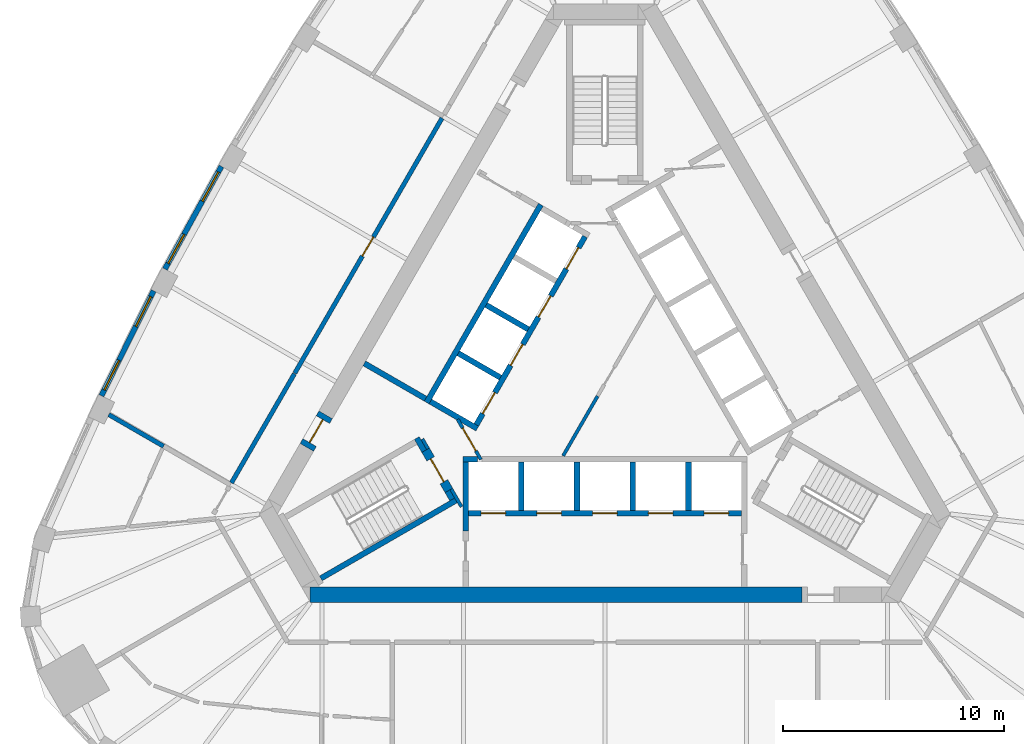
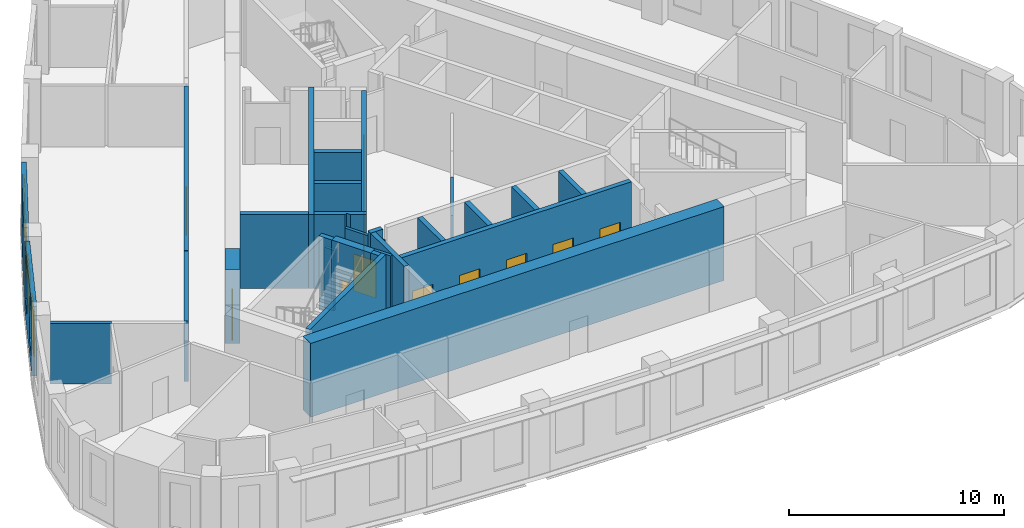
# One storey, part 4 of 10: 28 walls, 13 doors, 4 windows, 17 openings.
"""IFC4 building model written with IfcOpenShell, lengths in metres."""

from ifc_helpers import new_model, si_unit, direction, frame, frame_2d, origin, place, context, subcontext, project, spatial, polyline, rectangle, outline, extrude, material, layer, layer_set, type_object, element, fill, save


model = new_model("IFC4")

# Units and contexts
model_context = context("Model", 3, precision=1e-05, world=origin(), true_north=direction((0.0, 1.0)))
body_context = subcontext(model_context, "Body", "Model", "MODEL_VIEW")
ifc_project = project(units=[si_unit("LENGTHUNIT", "METRE"), si_unit("AREAUNIT", "SQUARE_METRE"), si_unit("VOLUMEUNIT", "CUBIC_METRE"), si_unit("PLANEANGLEUNIT", "RADIAN"), si_unit("MASSUNIT", "GRAM", prefix="KILO")], contexts=[model_context])

# Site, building, storey
site_placement = place(None, origin())
site = spatial("IfcSite", under=ifc_project, at=site_placement, CompositionType="ELEMENT")
building_placement = place(site_placement, origin())
building = spatial("IfcBuilding", under=site, at=building_placement, Name="Mestral Congress Tower", CompositionType="ELEMENT")
storey_placement = place(building_placement, frame((0.0, 0.0, 239.39990234375)))
storey = spatial("IfcBuildingStorey", under=building, at=storey_placement, Name="L56", CompositionType="ELEMENT", Elevation=239.39990234375)

# Walls
ifc_material_1 = material(Name="Fire-rated board partition")
ifc_layer_1 = layer(ifc_material_1, 0.14990234375)
ifc_layer_set_1 = layer_set([ifc_layer_1], Name="Fire-rated board partition")
wall_type_1 = type_object("IfcWallType", Name="Core partition 150", PredefinedType="PARTITIONING", material=ifc_layer_set_1)
wall_1_placement = place(storey_placement, frame((-8.251953125, -2.958251953125, 0.0), z_axis=(0.0, 0.0, 1.0), x_axis=(0.500174715838, -0.865924508047, 0.0)))
element("IfcWall", 1, at=wall_1_placement, inside=storey, type_object=wall_type_1, Name="L56 core wall", PredefinedType="PARTITIONING", context=body_context, shape_type="SweptSolid", body=[
    extrude(rectangle(XDim=0.513916015625, YDim=0.14990234375, at=frame_2d((0.2568359375, 0.0))), origin(), (0.0, 0.0, 1.0), 3.4501953125),
])
wall_2_placement = place(storey_placement, frame((-1.886962890625, -3.71826171875, 0.0), z_axis=(0.0, 0.0, 1.0), x_axis=(0.500043732237, 0.866000153493, 0.0)))
element("IfcWall", 2, at=wall_2_placement, inside=storey, type_object=wall_type_1, Name="L56 core wall", PredefinedType="PARTITIONING", context=body_context, shape_type="SweptSolid", body=[
    extrude(rectangle(XDim=3.113525390625, YDim=0.14990234375, at=frame_2d((1.556640625, 0.0))), origin(), (0.0, 0.0, 1.0), 3.4501953125),
])

# Wall, opening, door
wall_3_placement = place(storey_placement, frame((-5.606201171875, -3.8896484375, 0.0), z_axis=(0.0, 0.0, 1.0), x_axis=(-0.500027713859, 0.866009402589, 0.0)))
wall_3 = element("IfcWall", 3, at=wall_3_placement, inside=storey, type_object=wall_type_1, Name="L56 door wall", PredefinedType="PARTITIONING", context=body_context, shape_type="SweptSolid", body=[
    extrude(rectangle(XDim=2.10009765625, YDim=0.14990234375, at=frame_2d((1.050048828125, 0.0))), origin(), (0.0, 0.0, 1.0), 3.4501953125),
])
opening_1_placement = place(wall_3_placement, frame((0.449951171875, 0.0, 0.0)))
opening_1 = element("IfcOpeningElement", 4, at=opening_1_placement, cuts=wall_3, Name="Opening CD3-FF", PredefinedType="OPENING", context=body_context, shape_type="SweptSolid", body=[
    extrude(rectangle(XDim=1.199951171875, YDim=2.10009765625, at=frame_2d((0.60009765625, 1.050048828125))), frame((0.0, 0.0849609375, 0.0), z_axis=(0.0, -1.0, 0.0), x_axis=(1.0, 0.0, 0.0)), (0.0, 0.0, 1.0), 0.169921875),
])
ifc_material_2 = material(Name="Fire-rated steel door set", Category="steel")
door_type_1 = type_object("IfcDoorType", Name="Core door CD 1200x2100", OperationType="SINGLE_SWING_LEFT", PredefinedType="DOOR", material=ifc_material_2)
door_1_placement = place(opening_1_placement, origin())
door_1 = element("IfcDoor", 5, at=door_1_placement, inside=storey, type_object=door_type_1, Name="Door CD3-FF", OperationType="SINGLE_SWING_LEFT", OverallHeight=2.10009765625, OverallWidth=1.199951171875, PredefinedType="DOOR", context=body_context, shape_type="SweptSolid", body=[
    extrude(rectangle(XDim=1.199951171875, YDim=2.10009765625, at=frame_2d((0.60009765625, 1.050048828125))), frame((0.0, 0.02490234375, 0.0), z_axis=(0.0, -1.0, 0.0), x_axis=(1.0, 0.0, 0.0)), (0.0, 0.0, 1.0), 0.050048828125),
])
fill(opening_1, door_1)

# Wall
ifc_material_3 = material(Name="Concrete C60/75", Category="concrete")
ifc_layer_2 = layer(ifc_material_3, 0.699951171875)
ifc_layer_set_2 = layer_set([ifc_layer_2], Name="Concrete C60/75")
wall_type_2 = type_object("IfcWallType", Name="Core wall RC 700", PredefinedType="SOLIDWALL", material=ifc_layer_set_2)
wall_4_placement = place(storey_placement, frame((8.904296875, -10.0, 0.0), z_axis=(0.0, 0.0, 1.0), x_axis=(-1.0, 0.0, 0.0)))
element("IfcWall", 6, at=wall_4_placement, inside=storey, type_object=wall_type_2, Name="L56 core wall", PredefinedType="SOLIDWALL", context=body_context, shape_type="SweptSolid", body=[
    extrude(rectangle(XDim=22.226318359375, YDim=0.699951171875, at=frame_2d((11.11328125, 0.0))), origin(), (0.0, 0.0, 1.0), 4.2001953125),
])

# Wall, opening, door
wall_5_placement = place(storey_placement, frame((-13.474853515625, -3.339111328125, 0.0), z_axis=(0.0, 0.0, 1.0), x_axis=(0.499954529098, 0.86605165483, 0.0)))
wall_5 = element("IfcWall", 7, at=wall_5_placement, inside=storey, type_object=wall_type_2, Name="L56 door wall", PredefinedType="SOLIDWALL", context=body_context, shape_type="SweptSolid", body=[
    extrude(rectangle(XDim=1.699951171875, YDim=0.699951171875, at=frame_2d((0.85009765625, 0.0))), origin(), (0.0, 0.0, 1.0), 4.2001953125),
])
opening_2_placement = place(wall_5_placement, frame((0.25, 0.0, 0.0)))
opening_2 = element("IfcOpeningElement", 8, at=opening_2_placement, cuts=wall_5, Name="Opening XD3", PredefinedType="OPENING", context=body_context, shape_type="SweptSolid", body=[
    extrude(rectangle(XDim=1.199951171875, YDim=2.10009765625, at=frame_2d((0.60009765625, 1.050048828125))), frame((0.0, 0.35986328125, 0.0), z_axis=(0.0, -1.0, 0.0), x_axis=(1.0, 0.0, 0.0)), (0.0, 0.0, 1.0), 0.719970703125),
])
door_type_2 = type_object("IfcDoorType", Name="Core door XD 1200x2100", OperationType="SINGLE_SWING_LEFT", PredefinedType="DOOR", material=ifc_material_2)
door_2_placement = place(opening_2_placement, origin())
door_2 = element("IfcDoor", 9, at=door_2_placement, inside=storey, type_object=door_type_2, Name="Door XD3", OperationType="SINGLE_SWING_LEFT", OverallHeight=2.10009765625, OverallWidth=1.199951171875, PredefinedType="DOOR", context=body_context, shape_type="SweptSolid", body=[
    extrude(rectangle(XDim=1.199951171875, YDim=2.10009765625, at=frame_2d((0.60009765625, 1.050048828125))), frame((0.0, 0.02490234375, 0.0), z_axis=(0.0, -1.0, 0.0), x_axis=(1.0, 0.0, 0.0)), (0.0, 0.0, 1.0), 0.050048828125),
])
fill(opening_2, door_2)

# Wall, openings, windows
ifc_material_4 = material(Name="Precast concrete C40/50 with limestone facing", Category="masonry")
ifc_layer_3 = layer(ifc_material_4, 0.239990234375)
ifc_layer_set_3 = layer_set([ifc_layer_3], Name="Precast concrete C40/50 with limestone facing")
wall_type_3 = type_object("IfcWallType", Name="Facade stone wall 240", PredefinedType="SOLIDWALL", material=ifc_layer_set_3)
wall_6_placement = place(storey_placement, frame((-17.338134765625, 9.367919921875, 0.0), z_axis=(0.0, 0.0, 1.0), x_axis=(-0.481925825015, -0.876212017256, 0.0)))
wall_6 = element("IfcWall", 10, at=wall_6_placement, inside=storey, type_object=wall_type_3, Name="Facade wall F2-03", PredefinedType="SOLIDWALL", context=body_context, shape_type="SweptSolid", body=[
    extrude(rectangle(XDim=5.298583984375, YDim=0.239990234375, at=frame_2d((2.6494140625, 0.0))), origin(), (0.0, 0.0, 1.0), 3.9501953125),
])
opening_3_placement = place(wall_6_placement, frame((0.294677734375, 0.0, 0.89990234375)))
opening_3 = element("IfcOpeningElement", 11, at=opening_3_placement, cuts=wall_6, Name="Opening W4", PredefinedType="OPENING", context=body_context, shape_type="SweptSolid", body=[
    extrude(rectangle(XDim=1.5, YDim=2.550048828125, at=frame_2d((0.75, 1.27490234375))), frame((0.0, 0.1298828125, 0.0), z_axis=(0.0, -1.0, 0.0), x_axis=(1.0, 0.0, 0.0)), (0.0, 0.0, 1.0), 0.260009765625),
])
opening_4_placement = place(wall_6_placement, frame((3.503662109375, 0.0, 0.89990234375)))
opening_4 = element("IfcOpeningElement", 12, at=opening_4_placement, cuts=wall_6, Name="Opening W4", PredefinedType="OPENING", context=body_context, shape_type="SweptSolid", body=[
    extrude(rectangle(XDim=1.5, YDim=2.550048828125, at=frame_2d((0.75, 1.27490234375))), frame((0.0, 0.1298828125, 0.0), z_axis=(0.0, -1.0, 0.0), x_axis=(1.0, 0.0, 0.0)), (0.0, 0.0, 1.0), 0.260009765625),
])
ifc_material_5 = material(Name="Clear low-emissivity double glazing", Category="glass")
window_type = type_object("IfcWindowType", Name="Facade punched window 1500 x 2550 sill 900", PartitioningType="SINGLE_PANEL", PredefinedType="WINDOW", material=ifc_material_5)
window_1_placement = place(opening_3_placement, origin())
window_1 = element("IfcWindow", 13, at=window_1_placement, inside=storey, type_object=window_type, Name="Window F2-03a", OverallHeight=2.550048828125, OverallWidth=1.5, PartitioningType="SINGLE_PANEL", PredefinedType="WINDOW", context=body_context, shape_type="SweptSolid", body=[
    extrude(rectangle(XDim=1.5, YDim=2.550048828125, at=frame_2d((0.75, 1.27490234375))), frame((0.0, 0.0400390625, 0.0), z_axis=(0.0, -1.0, 0.0), x_axis=(1.0, 0.0, 0.0)), (0.0, 0.0, 1.0), 0.06005859375),
])
fill(opening_3, window_1)
window_2_placement = place(opening_4_placement, origin())
window_2 = element("IfcWindow", 14, at=window_2_placement, inside=storey, type_object=window_type, Name="Window F2-03b", OverallHeight=2.550048828125, OverallWidth=1.5, PartitioningType="SINGLE_PANEL", PredefinedType="WINDOW", context=body_context, shape_type="SweptSolid", body=[
    extrude(rectangle(XDim=1.5, YDim=2.550048828125, at=frame_2d((0.75, 1.27490234375))), frame((0.0, 0.0400390625, 0.0), z_axis=(0.0, -1.0, 0.0), x_axis=(1.0, 0.0, 0.0)), (0.0, 0.0, 1.0), 0.06005859375),
])
fill(opening_4, window_2)

wall_7_placement = place(storey_placement, frame((-20.407470703125, 3.739501953125, 0.0), z_axis=(0.0, 0.0, 1.0), x_axis=(-0.445129582031, -0.895466166419, 0.0)))
wall_7 = element("IfcWall", 15, at=wall_7_placement, inside=storey, type_object=wall_type_3, Name="Facade wall F2-04", PredefinedType="SOLIDWALL", context=body_context, shape_type="SweptSolid", body=[
    extrude(rectangle(XDim=5.29833984375, YDim=0.239990234375, at=frame_2d((2.649169921875, 0.0))), origin(), (0.0, 0.0, 1.0), 3.9501953125),
])
opening_5_placement = place(wall_7_placement, frame((0.294677734375, 0.0, 0.89990234375)))
opening_5 = element("IfcOpeningElement", 16, at=opening_5_placement, cuts=wall_7, Name="Opening W4", PredefinedType="OPENING", context=body_context, shape_type="SweptSolid", body=[
    extrude(rectangle(XDim=1.5, YDim=2.550048828125, at=frame_2d((0.75, 1.27490234375))), frame((0.0, 0.1298828125, 0.0), z_axis=(0.0, -1.0, 0.0), x_axis=(1.0, 0.0, 0.0)), (0.0, 0.0, 1.0), 0.260009765625),
])
opening_6_placement = place(wall_7_placement, frame((3.503662109375, 0.0, 0.89990234375)))
opening_6 = element("IfcOpeningElement", 17, at=opening_6_placement, cuts=wall_7, Name="Opening W4", PredefinedType="OPENING", context=body_context, shape_type="SweptSolid", body=[
    extrude(rectangle(XDim=1.5, YDim=2.550048828125, at=frame_2d((0.75, 1.27490234375))), frame((0.0, 0.1298828125, 0.0), z_axis=(0.0, -1.0, 0.0), x_axis=(1.0, 0.0, 0.0)), (0.0, 0.0, 1.0), 0.260009765625),
])
window_3_placement = place(opening_5_placement, origin())
window_3 = element("IfcWindow", 18, at=window_3_placement, inside=storey, type_object=window_type, Name="Window F2-04a", OverallHeight=2.550048828125, OverallWidth=1.5, PartitioningType="SINGLE_PANEL", PredefinedType="WINDOW", context=body_context, shape_type="SweptSolid", body=[
    extrude(rectangle(XDim=1.5, YDim=2.550048828125, at=frame_2d((0.75, 1.27490234375))), frame((0.0, 0.0400390625, 0.0), z_axis=(0.0, -1.0, 0.0), x_axis=(1.0, 0.0, 0.0)), (0.0, 0.0, 1.0), 0.06005859375),
])
fill(opening_5, window_3)
window_4_placement = place(opening_6_placement, origin())
window_4 = element("IfcWindow", 19, at=window_4_placement, inside=storey, type_object=window_type, Name="Window F2-04b", OverallHeight=2.550048828125, OverallWidth=1.5, PartitioningType="SINGLE_PANEL", PredefinedType="WINDOW", context=body_context, shape_type="SweptSolid", body=[
    extrude(rectangle(XDim=1.5, YDim=2.550048828125, at=frame_2d((0.75, 1.27490234375))), frame((0.0, 0.0400390625, 0.0), z_axis=(0.0, -1.0, 0.0), x_axis=(1.0, 0.0, 0.0)), (0.0, 0.0, 1.0), 0.06005859375),
])
fill(opening_6, window_4)

# Wall
ifc_material_6 = material(Name="Dense masonry wall, plastered", Category="masonry")
ifc_layer_4 = layer(ifc_material_6, 0.199951171875)
ifc_layer_set_4 = layer_set([ifc_layer_4], Name="Dense masonry wall, plastered")
wall_type_4 = type_object("IfcWallType", Name="Office tenancy wall 200", PredefinedType="PARTITIONING", material=ifc_layer_set_4)
wall_8_placement = place(storey_placement, frame((-19.950927734375, -3.28759765625, 0.0), z_axis=(0.0, 0.0, 1.0), x_axis=(-0.866044908516, 0.499966215292, 0.0)))
element("IfcWall", 20, at=wall_8_placement, inside=storey, type_object=wall_type_4, Name="Tenancy wall", PredefinedType="PARTITIONING", context=body_context, shape_type="SweptSolid", body=[
    extrude(rectangle(XDim=2.861083984375, YDim=0.199951171875, at=frame_2d((1.4306640625, 0.0))), origin(), (0.0, 0.0, 1.0), 3.4501953125),
])

# Wall, opening, door
wall_9_placement = place(storey_placement, frame((-7.36376953125, 11.54541015625, 0.0), z_axis=(0.0, 0.0, 1.0), x_axis=(-0.500001759768, -0.86602438778, 0.0)))
wall_9 = element("IfcWall", 21, at=wall_9_placement, inside=storey, type_object=wall_type_4, Name="Tenancy wall", PredefinedType="PARTITIONING", context=body_context, shape_type="SweptSolid", body=[
    extrude(rectangle(XDim=13.31689453125, YDim=0.199951171875, at=frame_2d((6.658447265625, 0.0))), origin(), (0.0, 0.0, 1.0), 3.4501953125),
])
opening_7_placement = place(wall_9_placement, frame((6.199951171875, 0.0, 0.0)))
opening_7 = element("IfcOpeningElement", 22, at=opening_7_placement, cuts=wall_9, Name="Opening O09-015", PredefinedType="OPENING", context=body_context, shape_type="SweptSolid", body=[
    extrude(rectangle(XDim=1.0, YDim=2.10009765625, at=frame_2d((0.5, 1.050048828125))), frame((0.0, 0.10986328125, 0.0), z_axis=(0.0, -1.0, 0.0), x_axis=(1.0, 0.0, 0.0)), (0.0, 0.0, 1.0), 0.219970703125),
])
ifc_material_7 = material(Name="Fire-rated timber door set", Category="wood")
door_type_3 = type_object("IfcDoorType", Name="Office tenancy entrance door 1000x2100", OperationType="SINGLE_SWING_LEFT", PredefinedType="DOOR", material=ifc_material_7)
door_3_placement = place(opening_7_placement, origin())
door_3 = element("IfcDoor", 23, at=door_3_placement, inside=storey, type_object=door_type_3, Name="Door O09-015", OperationType="SINGLE_SWING_RIGHT", OverallHeight=2.10009765625, OverallWidth=1.0, PredefinedType="DOOR", context=body_context, shape_type="SweptSolid", body=[
    extrude(rectangle(XDim=1.0, YDim=2.10009765625, at=frame_2d((0.5, 1.050048828125))), frame((0.0, 0.02490234375, 0.0), z_axis=(0.0, -1.0, 0.0), x_axis=(1.0, 0.0, 0.0)), (0.0, 0.0, 1.0), 0.050048828125),
])
fill(opening_7, door_3)

# Walls
wall_10_placement = place(storey_placement, frame((-14.037109375, -0.01318359375, 0.0), z_axis=(0.0, 0.0, 1.0), x_axis=(-0.500018205831, -0.866014892388, 0.0)))
element("IfcWall", 24, at=wall_10_placement, inside=storey, type_object=wall_type_4, Name="Tenancy wall", PredefinedType="PARTITIONING", context=body_context, shape_type="SweptSolid", body=[
    extrude(rectangle(XDim=5.692626953125, YDim=0.199951171875, at=frame_2d((2.84619140625, 0.0))), origin(), (0.0, 0.0, 1.0), 3.4501953125),
])
ifc_layer_5 = layer(ifc_material_3, 0.25)
ifc_layer_set_5 = layer_set([ifc_layer_5], Name="Concrete C60/75")
wall_type_5 = type_object("IfcWallType", Name="Shaft wall RC 250", PredefinedType="SOLIDWALL", material=ifc_layer_set_5)
wall_11_placement = place(storey_placement, frame((-6.425048828125, -3.875, 0.0), z_axis=(0.0, 0.0, 1.0), x_axis=(1.0, 0.0, 0.0)))
element("IfcWall", 25, at=wall_11_placement, inside=storey, type_object=wall_type_5, Name="L56 core wall", PredefinedType="SOLIDWALL", context=body_context, shape_type="SweptSolid", body=[
    extrude(rectangle(XDim=0.657958984375, YDim=0.25, at=frame_2d((0.3291015625, 0.0))), origin(), (0.0, 0.0, 1.0), 4.2001953125),
])
for number, where, z_axis, x_axis, name in (
    (26, (3.780029296875, -4.0, 0.0), (0.0, 0.0, 1.0), (0.0, -1.0, 0.0), "L56 core wall"),
    (27, (1.260009765625, -4.0, 0.0), (0.0, 0.0, 1.0), (0.0, -1.0, 0.0), "L56 core wall"),
    (28, (-1.260009765625, -4.0, 0.0), (0.0, 0.0, 1.0), (0.0, -1.0, 0.0), "L56 core wall"),
    (29, (-3.780029296875, -4.0, 0.0), (0.0, 0.0, 1.0), (0.0, -1.0, 0.0), "L56 core wall"),
):
    element("IfcWall", number, at=place(storey_placement, frame(where, z_axis=z_axis, x_axis=x_axis)), inside=storey, type_object=wall_type_5, Name=name, PredefinedType="SOLIDWALL", context=body_context, shape_type="SweptSolid", body=[
        extrude(rectangle(XDim=2.199951171875, YDim=0.25, at=frame_2d((1.10009765625, 0.0))), origin(), (0.0, 0.0, 1.0), 4.2001953125),
    ])
wall_12_placement = place(storey_placement, frame((-6.300048828125, -7.12451171875, 0.0), z_axis=(0.0, 0.0, 1.0), x_axis=(0.0, 1.0, 0.0)))
element("IfcWall", 30, at=wall_12_placement, inside=storey, type_object=wall_type_5, Name="L56 core wall", PredefinedType="SOLIDWALL", context=body_context, shape_type="SweptSolid", body=[
    extrude(rectangle(XDim=3.12451171875, YDim=0.25, at=frame_2d((1.562255859375, 0.0))), origin(), (0.0, 0.0, 1.0), 4.2001953125),
])
wall_13_placement = place(storey_placement, frame((-8.06005859375, -1.310546875, 0.0), z_axis=(0.0, 0.0, 1.0), x_axis=(0.50000273126, 0.866023826885, 0.0)))
element("IfcWall", 31, at=wall_13_placement, inside=storey, type_object=wall_type_5, Name="L56 core wall", PredefinedType="SOLIDWALL", context=body_context, shape_type="SweptSolid", body=[
    extrude(rectangle(XDim=10.330078125, YDim=0.25, at=frame_2d((5.1650390625, 0.0))), origin(), (0.0, 0.0, 1.0), 4.2001953125),
])
for number, where, z_axis, x_axis, name in (
    (32, (-5.369384765625, 3.10009765625, 0.0), (0.0, 0.0, 1.0), (0.866008176907, -0.50002983664, 0.0), "L56 core wall"),
    (33, (-4.72412109375, -0.182373046875, 0.0), (0.0, 0.0, 1.0), (-0.866008176907, 0.50002983664, 0.0), "L56 core wall"),
):
    element("IfcWall", number, at=place(storey_placement, frame(where, z_axis=z_axis, x_axis=x_axis)), inside=storey, type_object=wall_type_5, Name=name, PredefinedType="SOLIDWALL", context=body_context, shape_type="SweptSolid", body=[
        extrude(rectangle(XDim=2.199951171875, YDim=0.25, at=frame_2d((1.10009765625, 0.0))), origin(), (0.0, 0.0, 1.0), 4.2001953125),
    ])
wall_14_placement = place(storey_placement, origin())
element("IfcWall", 34, at=wall_14_placement, inside=storey, type_object=wall_type_5, Name="L56 core wall", PredefinedType="SOLIDWALL", context=body_context, shape_type="SweptSolid", body=[
    extrude(outline(polyline([(-5.921630859375, -2.256591796875), (-5.921630859375, -2.256591796875), (-5.705078125, -2.381591796875), (-5.830078125, -2.597900390625), (-6.48291015625, -2.22119140625), (-6.59130859375, -2.033447265625), (-6.59130859375, -2.033447265625), (-6.69970703125, -2.095947265625), (-7.951904296875, -1.373046875), (-7.826904296875, -1.156494140625), (-5.921630859375, -2.256591796875)])), origin(), (0.0, 0.0, 1.0), 4.2001953125),
])
wall_15_placement = place(storey_placement, frame((-8.10595703125, -1.139892578125, 0.0), z_axis=(0.0, 0.0, 1.0), x_axis=(-0.866008981251, 0.500028443584, 0.0)))
element("IfcWall", 35, at=wall_15_placement, inside=storey, type_object=wall_type_5, Name="L56 core wall", PredefinedType="SOLIDWALL", context=body_context, shape_type="SweptSolid", body=[
    extrude(rectangle(XDim=3.199951171875, YDim=0.25, at=frame_2d((1.60009765625, 0.0))), origin(), (0.0, 0.0, 1.0), 4.2001953125),
])

# Wall, openings, doors
wall_16_placement = place(storey_placement, frame((-6.175048828125, -6.324951171875, 0.0), z_axis=(0.0, 0.0, 1.0), x_axis=(1.0, 0.0, 0.0)))
wall_16 = element("IfcWall", 36, at=wall_16_placement, inside=storey, type_object=wall_type_5, Name="L56 door wall", PredefinedType="SOLIDWALL", context=body_context, shape_type="SweptSolid", body=[
    extrude(rectangle(XDim=12.35009765625, YDim=0.25, at=frame_2d((6.175048828125, 0.0))), origin(), (0.0, 0.0, 1.0), 4.2001953125),
])
opening_8_placement = place(wall_16_placement, frame((0.5849609375, 0.0, 0.0)))
opening_8 = element("IfcOpeningElement", 37, at=opening_8_placement, cuts=wall_16, Name="Opening LD-SOB1", PredefinedType="OPENING", context=body_context, shape_type="SweptSolid", body=[
    extrude(rectangle(XDim=1.10009765625, YDim=2.10009765625, at=frame_2d((0.550048828125, 1.050048828125))), frame((0.0, 0.135009765625, 0.0), z_axis=(0.0, -1.0, 0.0), x_axis=(1.0, 0.0, 0.0)), (0.0, 0.0, 1.0), 0.27001953125),
])
opening_9_placement = place(wall_16_placement, frame((3.10498046875, 0.0, 0.0)))
opening_9 = element("IfcOpeningElement", 38, at=opening_9_placement, cuts=wall_16, Name="Opening LD-SOB2", PredefinedType="OPENING", context=body_context, shape_type="SweptSolid", body=[
    extrude(rectangle(XDim=1.10009765625, YDim=2.10009765625, at=frame_2d((0.550048828125, 1.050048828125))), frame((0.0, 0.135009765625, 0.0), z_axis=(0.0, -1.0, 0.0), x_axis=(1.0, 0.0, 0.0)), (0.0, 0.0, 1.0), 0.27001953125),
])
opening_10_placement = place(wall_16_placement, frame((5.625, 0.0, 0.0)))
opening_10 = element("IfcOpeningElement", 39, at=opening_10_placement, cuts=wall_16, Name="Opening LD-SOB3", PredefinedType="OPENING", context=body_context, shape_type="SweptSolid", body=[
    extrude(rectangle(XDim=1.10009765625, YDim=2.10009765625, at=frame_2d((0.550048828125, 1.050048828125))), frame((0.0, 0.135009765625, 0.0), z_axis=(0.0, -1.0, 0.0), x_axis=(1.0, 0.0, 0.0)), (0.0, 0.0, 1.0), 0.27001953125),
])
opening_11_placement = place(wall_16_placement, frame((8.14501953125, 0.0, 0.0)))
opening_11 = element("IfcOpeningElement", 40, at=opening_11_placement, cuts=wall_16, Name="Opening LD-SOB4", PredefinedType="OPENING", context=body_context, shape_type="SweptSolid", body=[
    extrude(rectangle(XDim=1.10009765625, YDim=2.10009765625, at=frame_2d((0.550048828125, 1.050048828125))), frame((0.0, 0.135009765625, 0.0), z_axis=(0.0, -1.0, 0.0), x_axis=(1.0, 0.0, 0.0)), (0.0, 0.0, 1.0), 0.27001953125),
])
opening_12_placement = place(wall_16_placement, frame((10.6650390625, 0.0, 0.0)))
opening_12 = element("IfcOpeningElement", 41, at=opening_12_placement, cuts=wall_16, Name="Opening LD-SOB5", PredefinedType="OPENING", context=body_context, shape_type="SweptSolid", body=[
    extrude(rectangle(XDim=1.10009765625, YDim=2.10009765625, at=frame_2d((0.550048828125, 1.050048828125))), frame((0.0, 0.135009765625, 0.0), z_axis=(0.0, -1.0, 0.0), x_axis=(1.0, 0.0, 0.0)), (0.0, 0.0, 1.0), 0.27001953125),
])
door_type_4 = type_object("IfcDoorType", Name="Core door LD 1100x2100", OperationType="DOUBLE_DOOR_SLIDING", PredefinedType="DOOR", material=ifc_material_2)
door_4_placement = place(opening_8_placement, origin())
door_4 = element("IfcDoor", 42, at=door_4_placement, inside=storey, type_object=door_type_4, Name="Door LD-SOB1", OperationType="DOUBLE_DOOR_SLIDING", OverallHeight=2.10009765625, OverallWidth=1.10009765625, PredefinedType="DOOR", context=body_context, shape_type="SweptSolid", body=[
    extrude(rectangle(XDim=1.10009765625, YDim=2.10009765625, at=frame_2d((0.550048828125, 1.050048828125))), frame((0.0, 0.02490234375, 0.0), z_axis=(0.0, -1.0, 0.0), x_axis=(1.0, 0.0, 0.0)), (0.0, 0.0, 1.0), 0.050048828125),
])
fill(opening_8, door_4)
door_5_placement = place(opening_9_placement, origin())
door_5 = element("IfcDoor", 43, at=door_5_placement, inside=storey, type_object=door_type_4, Name="Door LD-SOB2", OperationType="DOUBLE_DOOR_SLIDING", OverallHeight=2.10009765625, OverallWidth=1.10009765625, PredefinedType="DOOR", context=body_context, shape_type="SweptSolid", body=[
    extrude(rectangle(XDim=1.10009765625, YDim=2.10009765625, at=frame_2d((0.550048828125, 1.050048828125))), frame((0.0, 0.02490234375, 0.0), z_axis=(0.0, -1.0, 0.0), x_axis=(1.0, 0.0, 0.0)), (0.0, 0.0, 1.0), 0.050048828125),
])
fill(opening_9, door_5)
door_6_placement = place(opening_10_placement, origin())
door_6 = element("IfcDoor", 44, at=door_6_placement, inside=storey, type_object=door_type_4, Name="Door LD-SOB3", OperationType="DOUBLE_DOOR_SLIDING", OverallHeight=2.10009765625, OverallWidth=1.10009765625, PredefinedType="DOOR", context=body_context, shape_type="SweptSolid", body=[
    extrude(rectangle(XDim=1.10009765625, YDim=2.10009765625, at=frame_2d((0.550048828125, 1.050048828125))), frame((0.0, 0.02490234375, 0.0), z_axis=(0.0, -1.0, 0.0), x_axis=(1.0, 0.0, 0.0)), (0.0, 0.0, 1.0), 0.050048828125),
])
fill(opening_10, door_6)
door_7_placement = place(opening_11_placement, origin())
door_7 = element("IfcDoor", 45, at=door_7_placement, inside=storey, type_object=door_type_4, Name="Door LD-SOB4", OperationType="DOUBLE_DOOR_SLIDING", OverallHeight=2.10009765625, OverallWidth=1.10009765625, PredefinedType="DOOR", context=body_context, shape_type="SweptSolid", body=[
    extrude(rectangle(XDim=1.10009765625, YDim=2.10009765625, at=frame_2d((0.550048828125, 1.050048828125))), frame((0.0, 0.02490234375, 0.0), z_axis=(0.0, -1.0, 0.0), x_axis=(1.0, 0.0, 0.0)), (0.0, 0.0, 1.0), 0.050048828125),
])
fill(opening_11, door_7)
door_8_placement = place(opening_12_placement, origin())
door_8 = element("IfcDoor", 46, at=door_8_placement, inside=storey, type_object=door_type_4, Name="Door LD-SOB5", OperationType="DOUBLE_DOOR_SLIDING", OverallHeight=2.10009765625, OverallWidth=1.10009765625, PredefinedType="DOOR", context=body_context, shape_type="SweptSolid", body=[
    extrude(rectangle(XDim=1.10009765625, YDim=2.10009765625, at=frame_2d((0.550048828125, 1.050048828125))), frame((0.0, 0.02490234375, 0.0), z_axis=(0.0, -1.0, 0.0), x_axis=(1.0, 0.0, 0.0)), (0.0, 0.0, 1.0), 0.050048828125),
])
fill(opening_12, door_8)

wall_17_placement = place(storey_placement, frame((-0.898193359375, 6.194091796875, 0.0), z_axis=(0.0, 0.0, 1.0), x_axis=(-0.499996202215, -0.866027596426, 0.0)))
wall_17 = element("IfcWall", 47, at=wall_17_placement, inside=storey, type_object=wall_type_5, Name="L56 door wall", PredefinedType="SOLIDWALL", context=body_context, shape_type="SweptSolid", body=[
    extrude(rectangle(XDim=9.830078125, YDim=0.25, at=frame_2d((4.9150390625, 0.0))), origin(), (0.0, 0.0, 1.0), 4.2001953125),
])
opening_13_placement = place(wall_17_placement, frame((0.5849609375, 0.0, 0.0)))
opening_13 = element("IfcOpeningElement", 48, at=opening_13_placement, cuts=wall_17, Name="Opening LD-NWB1", PredefinedType="OPENING", context=body_context, shape_type="SweptSolid", body=[
    extrude(rectangle(XDim=1.10009765625, YDim=2.10009765625, at=frame_2d((0.550048828125, 1.050048828125))), frame((0.0, 0.135009765625, 0.0), z_axis=(0.0, -1.0, 0.0), x_axis=(1.0, 0.0, 0.0)), (0.0, 0.0, 1.0), 0.27001953125),
])
opening_14_placement = place(wall_17_placement, frame((3.10498046875, 0.0, 0.0)))
opening_14 = element("IfcOpeningElement", 49, at=opening_14_placement, cuts=wall_17, Name="Opening LD-NWB2", PredefinedType="OPENING", context=body_context, shape_type="SweptSolid", body=[
    extrude(rectangle(XDim=1.10009765625, YDim=2.10009765625, at=frame_2d((0.550048828125, 1.050048828125))), frame((0.0, 0.135009765625, 0.0), z_axis=(0.0, -1.0, 0.0), x_axis=(1.0, 0.0, 0.0)), (0.0, 0.0, 1.0), 0.27001953125),
])
opening_15_placement = place(wall_17_placement, frame((5.625, 0.0, 0.0)))
opening_15 = element("IfcOpeningElement", 50, at=opening_15_placement, cuts=wall_17, Name="Opening LD-NWB3", PredefinedType="OPENING", context=body_context, shape_type="SweptSolid", body=[
    extrude(rectangle(XDim=1.10009765625, YDim=2.10009765625, at=frame_2d((0.550048828125, 1.050048828125))), frame((0.0, 0.135009765625, 0.0), z_axis=(0.0, -1.0, 0.0), x_axis=(1.0, 0.0, 0.0)), (0.0, 0.0, 1.0), 0.27001953125),
])
opening_16_placement = place(wall_17_placement, frame((8.14501953125, 0.0, 0.0)))
opening_16 = element("IfcOpeningElement", 51, at=opening_16_placement, cuts=wall_17, Name="Opening LD-NWB4", PredefinedType="OPENING", context=body_context, shape_type="SweptSolid", body=[
    extrude(rectangle(XDim=1.10009765625, YDim=2.10009765625, at=frame_2d((0.550048828125, 1.050048828125))), frame((0.0, 0.135009765625, 0.0), z_axis=(0.0, -1.0, 0.0), x_axis=(1.0, 0.0, 0.0)), (0.0, 0.0, 1.0), 0.27001953125),
])
door_9_placement = place(opening_13_placement, origin())
door_9 = element("IfcDoor", 52, at=door_9_placement, inside=storey, type_object=door_type_4, Name="Door LD-NWB1", OperationType="DOUBLE_DOOR_SLIDING", OverallHeight=2.10009765625, OverallWidth=1.10009765625, PredefinedType="DOOR", context=body_context, shape_type="SweptSolid", body=[
    extrude(rectangle(XDim=1.10009765625, YDim=2.10009765625, at=frame_2d((0.550048828125, 1.050048828125))), frame((0.0, 0.02490234375, 0.0), z_axis=(0.0, -1.0, 0.0), x_axis=(1.0, 0.0, 0.0)), (0.0, 0.0, 1.0), 0.050048828125),
])
fill(opening_13, door_9)
door_10_placement = place(opening_14_placement, origin())
door_10 = element("IfcDoor", 53, at=door_10_placement, inside=storey, type_object=door_type_4, Name="Door LD-NWB2", OperationType="DOUBLE_DOOR_SLIDING", OverallHeight=2.10009765625, OverallWidth=1.10009765625, PredefinedType="DOOR", context=body_context, shape_type="SweptSolid", body=[
    extrude(rectangle(XDim=1.10009765625, YDim=2.10009765625, at=frame_2d((0.550048828125, 1.050048828125))), frame((0.0, 0.02490234375, 0.0), z_axis=(0.0, -1.0, 0.0), x_axis=(1.0, 0.0, 0.0)), (0.0, 0.0, 1.0), 0.050048828125),
])
fill(opening_14, door_10)
door_11_placement = place(opening_15_placement, origin())
door_11 = element("IfcDoor", 54, at=door_11_placement, inside=storey, type_object=door_type_4, Name="Door LD-NWB3", OperationType="DOUBLE_DOOR_SLIDING", OverallHeight=2.10009765625, OverallWidth=1.10009765625, PredefinedType="DOOR", context=body_context, shape_type="SweptSolid", body=[
    extrude(rectangle(XDim=1.10009765625, YDim=2.10009765625, at=frame_2d((0.550048828125, 1.050048828125))), frame((0.0, 0.02490234375, 0.0), z_axis=(0.0, -1.0, 0.0), x_axis=(1.0, 0.0, 0.0)), (0.0, 0.0, 1.0), 0.050048828125),
])
fill(opening_15, door_11)
door_12_placement = place(opening_16_placement, origin())
door_12 = element("IfcDoor", 55, at=door_12_placement, inside=storey, type_object=door_type_4, Name="Door LD-NWB4", OperationType="DOUBLE_DOOR_SLIDING", OverallHeight=2.10009765625, OverallWidth=1.10009765625, PredefinedType="DOOR", context=body_context, shape_type="SweptSolid", body=[
    extrude(rectangle(XDim=1.10009765625, YDim=2.10009765625, at=frame_2d((0.550048828125, 1.050048828125))), frame((0.0, 0.02490234375, 0.0), z_axis=(0.0, -1.0, 0.0), x_axis=(1.0, 0.0, 0.0)), (0.0, 0.0, 1.0), 0.050048828125),
])
fill(opening_16, door_12)

# Walls
ifc_layer_6 = layer(ifc_material_3, 0.14990234375)
ifc_layer_set_6 = layer_set([ifc_layer_6], Name="Concrete C60/75")
wall_type_6 = type_object("IfcWallType", Name="Shaft wall RC 250 door-wall 150", PredefinedType="SOLIDWALL", material=ifc_layer_set_6)
wall_18_placement = place(storey_placement, frame((-6.48046875, -6.026611328125, 0.0), z_axis=(0.0, 0.0, 1.0), x_axis=(-0.499927229454, 0.866067413802, 0.0)))
element("IfcWall", 56, at=wall_18_placement, inside=storey, type_object=wall_type_6, Name="L56 core wall", PredefinedType="PARTITIONING", context=body_context, shape_type="SweptSolid", body=[
    extrude(rectangle(XDim=0.928955078125, YDim=0.14990234375, at=frame_2d((0.46435546875, 0.0))), origin(), (0.0, 0.0, 1.0), 4.2001953125),
])
ifc_layer_7 = layer(ifc_material_3, 0.25)
ifc_layer_set_7 = layer_set([ifc_layer_7], Name="Concrete C60/75")
wall_type_7 = type_object("IfcWallType", Name="Stair wall RC 250", PredefinedType="SOLIDWALL", material=ifc_layer_set_7)
wall_19_placement = place(storey_placement, frame((-8.167724609375, -3.503173828125, 0.0), z_axis=(0.0, 0.0, 1.0), x_axis=(-0.499952099219, 0.866053057547, 0.0)))
element("IfcWall", 57, at=wall_19_placement, inside=storey, type_object=wall_type_7, Name="L56 core wall", PredefinedType="SOLIDWALL", context=body_context, shape_type="SweptSolid", body=[
    extrude(rectangle(XDim=0.6748046875, YDim=0.25, at=frame_2d((0.33740234375, 0.0))), origin(), (0.0, 0.0, 1.0), 4.2001953125),
])
wall_20_placement = place(storey_placement, frame((-12.83984375, -9.2607421875, 0.0), z_axis=(0.0, 0.0, 1.0), x_axis=(0.866016039709, 0.500016218704, 0.0)))
element("IfcWall", 58, at=wall_20_placement, inside=storey, type_object=wall_type_7, Name="L56 core wall", PredefinedType="SOLIDWALL", context=body_context, shape_type="SweptSolid", body=[
    extrude(rectangle(XDim=7.050048828125, YDim=0.25, at=frame_2d((3.52490234375, 0.0))), origin(), (0.0, 0.0, 1.0), 4.2001953125),
])
wall_21_placement = place(storey_placement, frame((-6.905029296875, -5.68994140625, 0.0), z_axis=(0.0, 0.0, 1.0), x_axis=(-0.500402024738, 0.865793170242, 0.0)))
element("IfcWall", 59, at=wall_21_placement, inside=storey, type_object=wall_type_7, Name="L56 core wall", PredefinedType="SOLIDWALL", context=body_context, shape_type="SweptSolid", body=[
    extrude(rectangle(XDim=0.425048828125, YDim=0.25, at=frame_2d((0.21240234375, 0.0))), origin(), (0.0, 0.0, 1.0), 4.2001953125),
])

# Wall, opening, door
ifc_layer_8 = layer(ifc_material_3, 0.39990234375)
ifc_layer_set_8 = layer_set([ifc_layer_8], Name="Concrete C60/75")
wall_type_8 = type_object("IfcWallType", Name="Stair wall RC 250 door-wall 400", PredefinedType="SOLIDWALL", material=ifc_layer_set_8)
wall_22_placement = place(storey_placement, frame((-8.102783203125, -3.4658203125, 0.0), z_axis=(0.0, 0.0, 1.0), x_axis=(0.500078061341, -0.865980330357, 0.0)))
wall_22 = element("IfcWall", 60, at=wall_22_placement, inside=storey, type_object=wall_type_8, Name="L56 door wall", PredefinedType="SOLIDWALL", context=body_context, shape_type="SweptSolid", body=[
    extrude(rectangle(XDim=2.099853515625, YDim=0.39990234375, at=frame_2d((1.0498046875, 0.0))), origin(), (0.0, 0.0, 1.0), 4.2001953125),
])
opening_17_placement = place(wall_22_placement, frame((0.449951171875, 0.0, 0.0)))
opening_17 = element("IfcOpeningElement", 61, at=opening_17_placement, cuts=wall_22, Name="Opening ST-D3", PredefinedType="OPENING", context=body_context, shape_type="SweptSolid", body=[
    extrude(rectangle(XDim=1.199951171875, YDim=2.10009765625, at=frame_2d((0.60009765625, 1.050048828125))), frame((0.0, 0.2099609375, 0.0), z_axis=(0.0, -1.0, 0.0), x_axis=(1.0, 0.0, 0.0)), (0.0, 0.0, 1.0), 0.419921875),
])
door_type_5 = type_object("IfcDoorType", Name="Core door ST 1200x2100", OperationType="SINGLE_SWING_LEFT", PredefinedType="DOOR", material=ifc_material_2)
door_13_placement = place(opening_17_placement, origin())
door_13 = element("IfcDoor", 62, at=door_13_placement, inside=storey, type_object=door_type_5, Name="Door ST-D3", OperationType="SINGLE_SWING_LEFT", OverallHeight=2.10009765625, OverallWidth=1.199951171875, PredefinedType="DOOR", context=body_context, shape_type="SweptSolid", body=[
    extrude(rectangle(XDim=1.199951171875, YDim=2.10009765625, at=frame_2d((0.60009765625, 1.050048828125))), frame((0.0, 0.02490234375, 0.0), z_axis=(0.0, -1.0, 0.0), x_axis=(1.0, 0.0, 0.0)), (0.0, 0.0, 1.0), 0.050048828125),
])
fill(opening_17, door_13)

save(model, "model.ifc")
